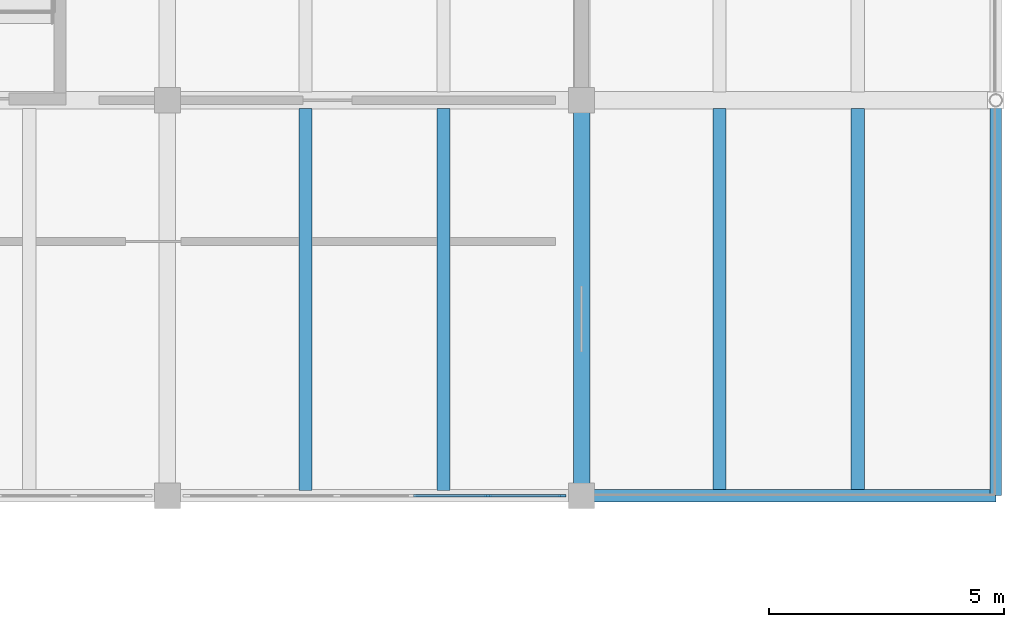
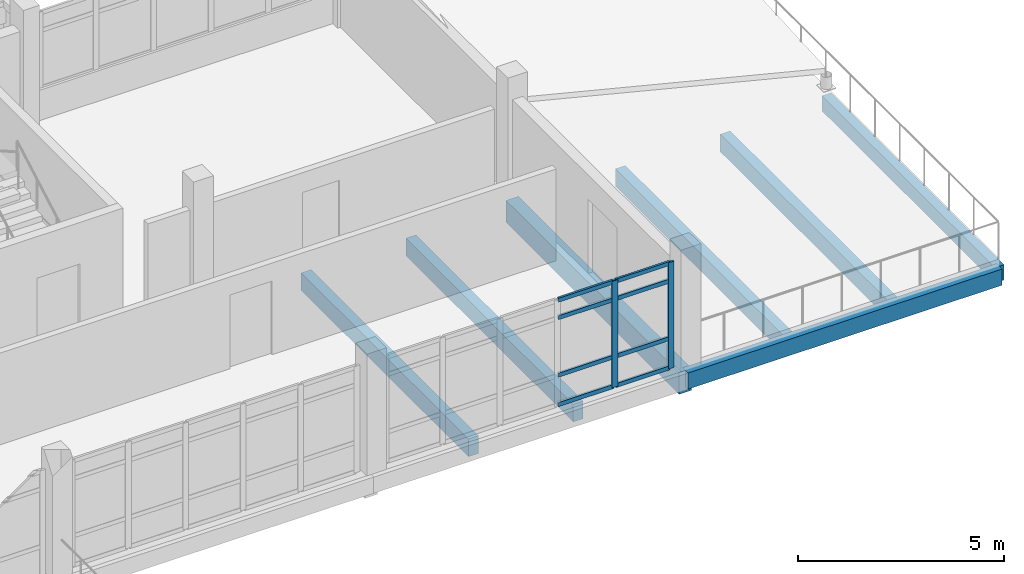
# One storey, part 16 of 30: 10 members, 7 beams, 1 element without a shape of its own.
"""IFC4 building model written with IfcOpenShell, lengths in metres."""

from ifc_helpers import new_model, si_unit, direction, frame, origin, origin_2d, place, context, subcontext, project, spatial, rectangle, extrude, material, material_profile, profile_set, type_object, element, aggregate, save


model = new_model("IFC4")

# Units and contexts
model_context = context("Model", 3, precision=1e-05, world=origin(), true_north=direction((0.0, 1.0)))
body_context = subcontext(model_context, "Body", "Model", "MODEL_VIEW")
ifc_project = project(units=[si_unit("LENGTHUNIT", "METRE"), si_unit("AREAUNIT", "SQUARE_METRE"), si_unit("VOLUMEUNIT", "CUBIC_METRE"), si_unit("PLANEANGLEUNIT", "RADIAN"), si_unit("MASSUNIT", "GRAM", prefix="KILO")], contexts=[model_context])

# Site, building, storey
site_placement = place(None, origin())
site = spatial("IfcSite", under=ifc_project, at=site_placement, CompositionType="ELEMENT")
building_placement = place(site_placement, origin())
building = spatial("IfcBuilding", under=site, at=building_placement, Name="Cinderway Yard Community Centre", CompositionType="ELEMENT")
storey_placement = place(building_placement, frame((0.0, 0.0, 16.5)))
storey = spatial("IfcBuildingStorey", under=building, at=storey_placement, Name="L04", CompositionType="ELEMENT", Elevation=16.5)

# Curtain wall, members
ifc_material_1 = material(Name="Aluminium 6063-T6", Category="aluminium")
curtain_wall_type = type_object("IfcCurtainWallType", Name="ENV-CW-TYPE-33", PredefinedType="USERDEFINED", material=ifc_material_1)
curtain_wall_placement = place(storey_placement, origin())
curtain_wall = element("IfcCurtainWall", 1, at=curtain_wall_placement, inside=storey, type_object=curtain_wall_type, Name="V4 Courtyard Curtain Wall ENV-CW-L04-ST-0187", ObjectType="GLAZED CURTAIN WALL", PredefinedType="USERDEFINED")
ifc_material_profile_1 = material_profile(ifc_material_1, rectangle(XDim=0.06005859375, YDim=0.159912109375, at=origin_2d()), Name="Aluminium 6063-T6")
ifc_profile_set_1 = profile_set([ifc_material_profile_1], Name="Aluminium 6063-T6")
member_type_1 = type_object("IfcMemberType", Name="ENV-CW-MULL-150", PredefinedType="MULLION", material=ifc_profile_set_1)
member_1_placement = place(storey_placement, frame((126.011962890625, 98.39990234375, 0.0), z_axis=(0.0, 0.0, 1.0), x_axis=(0.0, 1.0, 0.0)))
member_1 = element("IfcMember", 2, at=member_1_placement, type_object=member_type_1, Name="CW-33 mullion 5", PredefinedType="MULLION", context=body_context, shape_type="SweptSolid", body=[
    extrude(rectangle(XDim=0.06005859375, YDim=0.159912109375, at=origin_2d()), origin(), (0.0, 0.0, 1.0), 3.14990234375),
])
member_2_placement = place(storey_placement, frame((127.590087890625, 98.39990234375, 0.0), z_axis=(0.0, 0.0, 1.0), x_axis=(0.0, 1.0, 0.0)))
member_2 = element("IfcMember", 3, at=member_2_placement, type_object=member_type_1, Name="CW-33 mullion 6", PredefinedType="MULLION", context=body_context, shape_type="SweptSolid", body=[
    extrude(rectangle(XDim=0.06005859375, YDim=0.159912109375, at=origin_2d()), origin(), (0.0, 0.0, 1.0), 3.14990234375),
])
ifc_material_profile_2 = material_profile(ifc_material_1, rectangle(XDim=0.06005859375, YDim=0.1201171875, at=origin_2d()), Name="Aluminium 6063-T6")
ifc_profile_set_2 = profile_set([ifc_material_profile_2], Name="Aluminium 6063-T6")
member_type_2 = type_object("IfcMemberType", Name="ENV-CW-TRAN-110", PredefinedType="USERDEFINED", material=ifc_profile_set_2)
member_3_placement = place(storey_placement, frame((124.43408203125, 98.39990234375, 0.030029296875), z_axis=(1.0, 0.0, 0.0), x_axis=(0.0, 1.0, 0.0)))
member_3 = element("IfcMember", 4, at=member_3_placement, type_object=member_type_2, Name="CW-33 transom 4.1", ObjectType="TRANSOM", PredefinedType="USERDEFINED", context=body_context, shape_type="SweptSolid", body=[
    extrude(rectangle(XDim=0.06005859375, YDim=0.1201171875, at=origin_2d()), origin(), (0.0, 0.0, 1.0), 1.5478515625),
])
member_4_placement = place(storey_placement, frame((124.43408203125, 98.39990234375, 0.89990234375), z_axis=(1.0, 0.0, 0.0), x_axis=(0.0, 1.0, 0.0)))
member_4 = element("IfcMember", 5, at=member_4_placement, type_object=member_type_2, Name="CW-33 transom 4.2", ObjectType="TRANSOM", PredefinedType="USERDEFINED", context=body_context, shape_type="SweptSolid", body=[
    extrude(rectangle(XDim=0.06005859375, YDim=0.1201171875, at=origin_2d()), origin(), (0.0, 0.0, 1.0), 1.5478515625),
])
member_5_placement = place(storey_placement, frame((124.43408203125, 98.39990234375, 2.60009765625), z_axis=(1.0, 0.0, 0.0), x_axis=(0.0, 1.0, 0.0)))
member_5 = element("IfcMember", 6, at=member_5_placement, type_object=member_type_2, Name="CW-33 transom 4.3", ObjectType="TRANSOM", PredefinedType="USERDEFINED", context=body_context, shape_type="SweptSolid", body=[
    extrude(rectangle(XDim=0.06005859375, YDim=0.1201171875, at=origin_2d()), origin(), (0.0, 0.0, 1.0), 1.5478515625),
])
member_6_placement = place(storey_placement, frame((124.43408203125, 98.39990234375, 3.1201171875), z_axis=(1.0, 0.0, 0.0), x_axis=(0.0, 1.0, 0.0)))
member_6 = element("IfcMember", 7, at=member_6_placement, type_object=member_type_2, Name="CW-33 transom 4.4", ObjectType="TRANSOM", PredefinedType="USERDEFINED", context=body_context, shape_type="SweptSolid", body=[
    extrude(rectangle(XDim=0.06005859375, YDim=0.1201171875, at=origin_2d()), origin(), (0.0, 0.0, 1.0), 1.5478515625),
])
member_7_placement = place(storey_placement, frame((126.0419921875, 98.39990234375, 0.030029296875), z_axis=(1.0, 0.0, 0.0), x_axis=(0.0, 1.0, 0.0)))
member_7 = element("IfcMember", 8, at=member_7_placement, type_object=member_type_2, Name="CW-33 transom 5.1", ObjectType="TRANSOM", PredefinedType="USERDEFINED", context=body_context, shape_type="SweptSolid", body=[
    extrude(rectangle(XDim=0.06005859375, YDim=0.1201171875, at=origin_2d()), origin(), (0.0, 0.0, 1.0), 1.51806640625),
])
member_8_placement = place(storey_placement, frame((126.0419921875, 98.39990234375, 0.89990234375), z_axis=(1.0, 0.0, 0.0), x_axis=(0.0, 1.0, 0.0)))
member_8 = element("IfcMember", 9, at=member_8_placement, type_object=member_type_2, Name="CW-33 transom 5.2", ObjectType="TRANSOM", PredefinedType="USERDEFINED", context=body_context, shape_type="SweptSolid", body=[
    extrude(rectangle(XDim=0.06005859375, YDim=0.1201171875, at=origin_2d()), origin(), (0.0, 0.0, 1.0), 1.51806640625),
])
member_9_placement = place(storey_placement, frame((126.0419921875, 98.39990234375, 2.60009765625), z_axis=(1.0, 0.0, 0.0), x_axis=(0.0, 1.0, 0.0)))
member_9 = element("IfcMember", 10, at=member_9_placement, type_object=member_type_2, Name="CW-33 transom 5.3", ObjectType="TRANSOM", PredefinedType="USERDEFINED", context=body_context, shape_type="SweptSolid", body=[
    extrude(rectangle(XDim=0.06005859375, YDim=0.1201171875, at=origin_2d()), origin(), (0.0, 0.0, 1.0), 1.51806640625),
])
member_10_placement = place(storey_placement, frame((126.0419921875, 98.39990234375, 3.1201171875), z_axis=(1.0, 0.0, 0.0), x_axis=(0.0, 1.0, 0.0)))
member_10 = element("IfcMember", 11, at=member_10_placement, type_object=member_type_2, Name="CW-33 transom 5.4", ObjectType="TRANSOM", PredefinedType="USERDEFINED", context=body_context, shape_type="SweptSolid", body=[
    extrude(rectangle(XDim=0.06005859375, YDim=0.1201171875, at=origin_2d()), origin(), (0.0, 0.0, 1.0), 1.51806640625),
])
aggregate(curtain_wall, [member_1, member_2, member_3, member_4, member_5, member_6, member_7, member_8, member_9, member_10])

# Beams
ifc_material_2 = material(Name="Concrete C40/50", Category="concrete")
ifc_material_profile_3 = material_profile(ifc_material_2, rectangle(XDim=0.25, YDim=0.449951171875, at=origin_2d()), Name="Concrete C40/50")
ifc_profile_set_3 = profile_set([ifc_material_profile_3], Name="Concrete C40/50")
beam_type_1 = type_object("IfcBeamType", Name="STR-BM-RC250X450", PredefinedType="SPANDREL", material=ifc_profile_set_3)
beam_1_placement = place(storey_placement, frame((136.800048828125, 98.39990234375, -0.445068359375), z_axis=(0.0, 1.0, 0.0), x_axis=(-1.0, 0.0, 0.0)))
element("IfcBeam", 12, at=beam_1_placement, inside=storey, type_object=beam_type_1, Name="Transverse girder STR-BM-L04-SP02-0865", PredefinedType="SPANDREL", context=body_context, shape_type="SweptSolid", body=[
    extrude(rectangle(XDim=0.25, YDim=0.449951171875, at=origin_2d()), origin(), (0.0, 0.0, 1.0), 8.400146484375),
])
ifc_material_profile_4 = material_profile(ifc_material_2, rectangle(XDim=0.260009765625, YDim=0.47998046875, at=origin_2d()), Name="Concrete C40/50")
ifc_profile_set_4 = profile_set([ifc_material_profile_4], Name="Concrete C40/50")
beam_type_2 = type_object("IfcBeamType", Name="STR-BM-RC260X480", PredefinedType="SPANDREL", material=ifc_profile_set_4)
beam_2_placement = place(storey_placement, frame((128.0, 98.39990234375, -0.4599609375), z_axis=(1.0, 0.0, 0.0), x_axis=(0.0, 1.0, 0.0)))
element("IfcBeam", 13, at=beam_2_placement, inside=storey, type_object=beam_type_2, Name="Primary girder STR-BM-L04-SP01-0820", PredefinedType="SPANDREL", context=body_context, shape_type="SweptSolid", body=[
    extrude(rectangle(XDim=0.260009765625, YDim=0.47998046875, at=origin_2d()), origin(), (0.0, 0.0, 1.0), 8.800048828125),
])
ifc_material_3 = material(Name="Concrete C35/45", Category="concrete")
ifc_material_profile_5 = material_profile(ifc_material_3, rectangle(XDim=0.280029296875, YDim=0.52001953125, at=origin_2d()), Name="Concrete C35/45")
ifc_profile_set_5 = profile_set([ifc_material_profile_5], Name="Concrete C35/45")
beam_type_3 = type_object("IfcBeamType", Name="STR-BM-RC280X520", PredefinedType="JOIST", material=ifc_profile_set_5)
for number, where, z_axis, x_axis, name in (
    (14, (122.133056640625, 98.511962890625, -0.47998046875), (0.0, 1.0, 0.0), (-1.0, 0.0, 0.0), "Secondary joist STR-BM-L04-BJ04-0898"),
    (15, (125.06689453125, 98.511962890625, -0.47998046875), (0.0, 1.0, 0.0), (-1.0, 0.0, 0.0), "Secondary joist STR-BM-L04-BJ04-0899"),
    (16, (130.93310546875, 98.511962890625, -0.47998046875), (0.0, 1.0, 0.0), (-1.0, 0.0, 0.0), "Secondary joist STR-BM-L04-BJ04-0902"),
    (17, (133.866943359375, 98.511962890625, -0.47998046875), (0.0, 1.0, 0.0), (-1.0, 0.0, 0.0), "Secondary joist STR-BM-L04-BJ04-0903"),
):
    element("IfcBeam", number, at=place(storey_placement, frame(where, z_axis=z_axis, x_axis=x_axis)), inside=storey, type_object=beam_type_3, Name=name, PredefinedType="JOIST", context=body_context, shape_type="SweptSolid", body=[
        extrude(rectangle(XDim=0.280029296875, YDim=0.52001953125, at=origin_2d()), origin(), (0.0, 0.0, 1.0), 8.115966796875),
    ])
ifc_material_profile_6 = material_profile(ifc_material_3, rectangle(XDim=0.35009765625, YDim=0.64990234375, at=origin_2d()), Name="Concrete C35/45")
ifc_profile_set_6 = profile_set([ifc_material_profile_6], Name="Concrete C35/45")
beam_type_4 = type_object("IfcBeamType", Name="STR-BM-RC350X650", PredefinedType="BEAM", material=ifc_profile_set_6)
beam_3_placement = place(storey_placement, frame((128.0, 98.39990234375, -0.544921875), z_axis=(0.0, 1.0, 0.0), x_axis=(-1.0, 0.0, 0.0)))
element("IfcBeam", 18, at=beam_3_placement, inside=storey, type_object=beam_type_4, Name="Transverse girder STR-BM-L04-BG08-0863", PredefinedType="BEAM", context=body_context, shape_type="SweptSolid", body=[
    extrude(rectangle(XDim=0.35009765625, YDim=0.64990234375, at=origin_2d()), origin(), (0.0, 0.0, 1.0), 8.400146484375),
])

save(model, "model.ifc")
